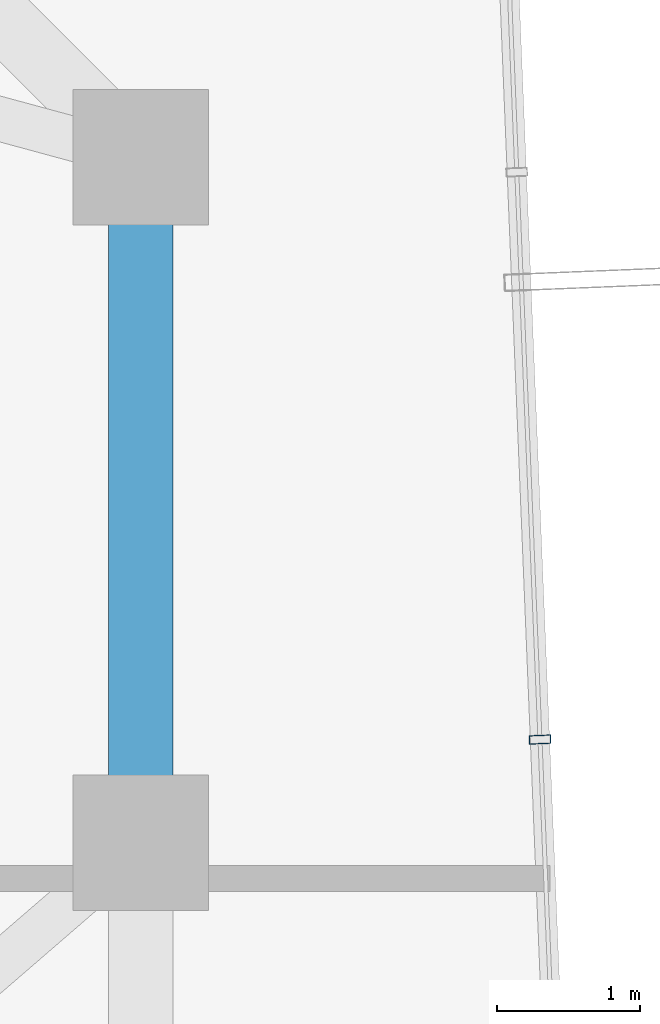
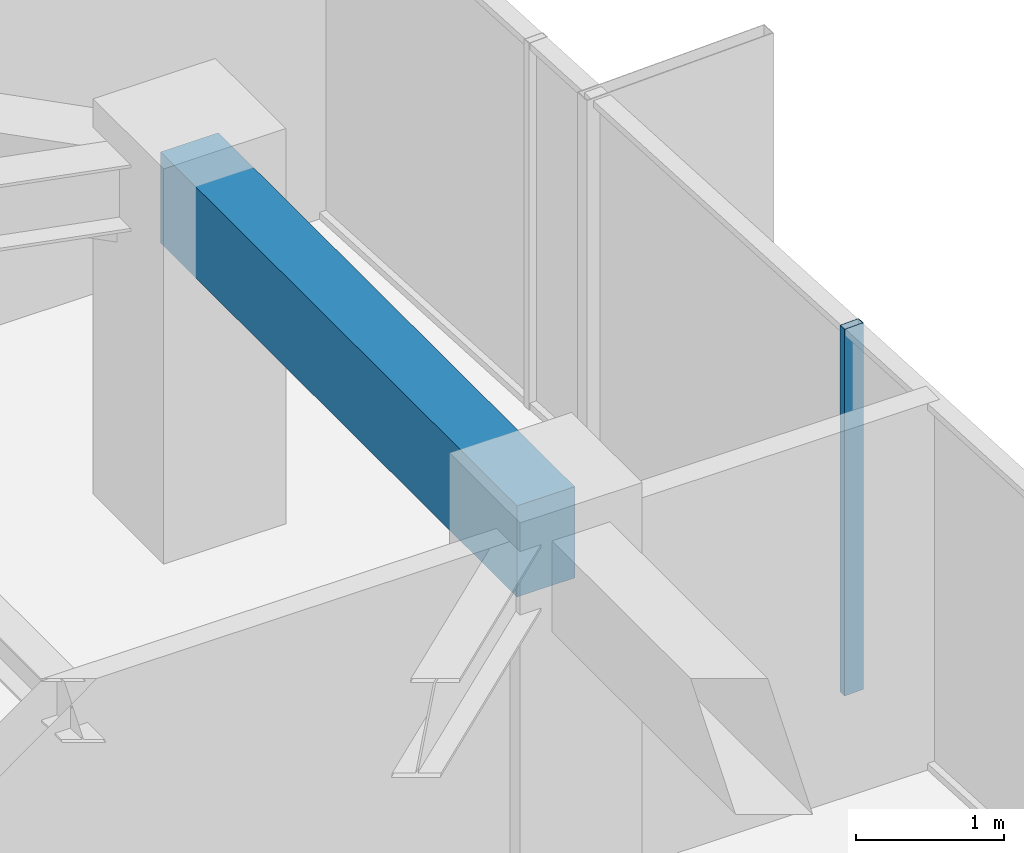
# One storey, part 19 of 33: 1 beam, 1 member, 1 element without a shape of its own.
"""IFC4 building model written with IfcOpenShell, lengths in metres."""

from ifc_helpers import new_model, si_unit, direction, frame, origin, origin_2d, place, context, subcontext, project, spatial, rectangle, hollow_rectangle, extrude, source, transform, mapped, material, layer, layer_set, material_profile, profile_set, type_object, element, aggregate, save


model = new_model("IFC4")

# Units and contexts
model_context = context("Model", 3, precision=1e-05, world=origin(), true_north=direction((0.0, 1.0)))
body_context = subcontext(model_context, "Body", "Model", "MODEL_VIEW")
ifc_project = project(units=[si_unit("LENGTHUNIT", "METRE"), si_unit("AREAUNIT", "SQUARE_METRE"), si_unit("VOLUMEUNIT", "CUBIC_METRE"), si_unit("PLANEANGLEUNIT", "RADIAN"), si_unit("MASSUNIT", "GRAM", prefix="KILO")], contexts=[model_context])

# Site, building, storey
site_placement = place(None, origin())
site = spatial("IfcSite", under=ifc_project, at=site_placement, CompositionType="ELEMENT")
building_placement = place(site_placement, origin())
building = spatial("IfcBuilding", under=site, at=building_placement, Name="Veraguas Prism Commons", CompositionType="ELEMENT")
storey_placement = place(building_placement, frame((0.0, 0.0, 198.35009765625)))
storey = spatial("IfcBuildingStorey", under=building, at=storey_placement, Name="L56", CompositionType="ELEMENT", Elevation=198.35009765625)

# Beam
ifc_material_1 = material(Name="Concrete C50/60", Category="concrete")
ifc_material_profile_1 = material_profile(ifc_material_1, rectangle(XDim=0.449951171875, YDim=0.75, at=origin_2d()), Name="RC450X750")
ifc_profile_set_1 = profile_set([ifc_material_profile_1], Name="Concrete C50/60")
beam_type = type_object("IfcBeamType", Name="Perimeter Spandrel Upper RC 450x750", PredefinedType="SPANDREL", material=ifc_profile_set_1)
beam_placement = place(storey_placement, frame((38.89990234375, 24.0, 2.639892578125), z_axis=(0.0, 1.0, 0.0), x_axis=(-1.0, 0.0, 0.0)))
element("IfcBeam", 1, at=beam_placement, inside=storey, type_object=beam_type, Name="Perimeter Spandrel Beam L56-SP02", PredefinedType="SPANDREL", context=body_context, shape_type="SweptSolid", body=[
    extrude(rectangle(XDim=0.449951171875, YDim=0.75, at=origin_2d()), origin(), (0.0, 0.0, 1.0), 4.800048828125),
])

# Curtain wall, member
ifc_material_2 = material(Name="Anodised aluminium EN AW-6063 T6", Category="aluminium")
ifc_layer = layer(ifc_material_2, 0.14990234375, Name="Unitised Flush Curtain Wall Zone 3", Category="aluminium")
ifc_layer_set = layer_set([ifc_layer], Name="Anodised aluminium EN AW-6063 T6")
curtain_wall_type = type_object("IfcCurtainWallType", Name="Unitised Flush Curtain Wall Zone 3", PredefinedType="NOTDEFINED", material=ifc_layer_set)
curtain_wall_placement = place(storey_placement, origin())
curtain_wall = element("IfcCurtainWall", 2, at=curtain_wall_placement, inside=storey, type_object=curtain_wall_type, Name="Tower Facade Curtain Wall L56-F6", PredefinedType="NOTDEFINED")
ifc_material_profile_2 = material_profile(ifc_material_2, hollow_rectangle(XDim=0.06005859375, YDim=0.14990234375, WallThickness=0.0029296875, at=origin_2d()), Name="AL60X150X3")
ifc_profile_set_2 = profile_set([ifc_material_profile_2], Name="Anodised aluminium EN AW-6063 T6")
member_type = type_object("IfcMemberType", Name="Curtain Wall Mullion Upper AL 60x150x3", PredefinedType="MULLION", material=ifc_profile_set_2)
shared_shape = source(origin(), body_context, "Body", "SweptSolid", [
    extrude(hollow_rectangle(XDim=0.06005859375, YDim=0.14990234375, WallThickness=0.0029296875, at=origin_2d()), origin(), (0.0, 0.0, 1.0), 3.014892578125),
])
member_placement = place(storey_placement, frame((41.695556640625, 24.72314453125, 0.0), z_axis=(0.0, 0.0, 1.0), x_axis=(-0.040829351979, 0.999166134343, 0.0)))
member = element("IfcMember", 3, at=member_placement, type_object=member_type, Name="CW-Z3 Mullion 3", PredefinedType="MULLION", context=body_context, shape_type="MappedRepresentation", body=[
    mapped(shared_shape, transform((0.0, 0.0, 0.0), scale=1.0)),
])
aggregate(curtain_wall, [member])

save(model, "model.ifc")
